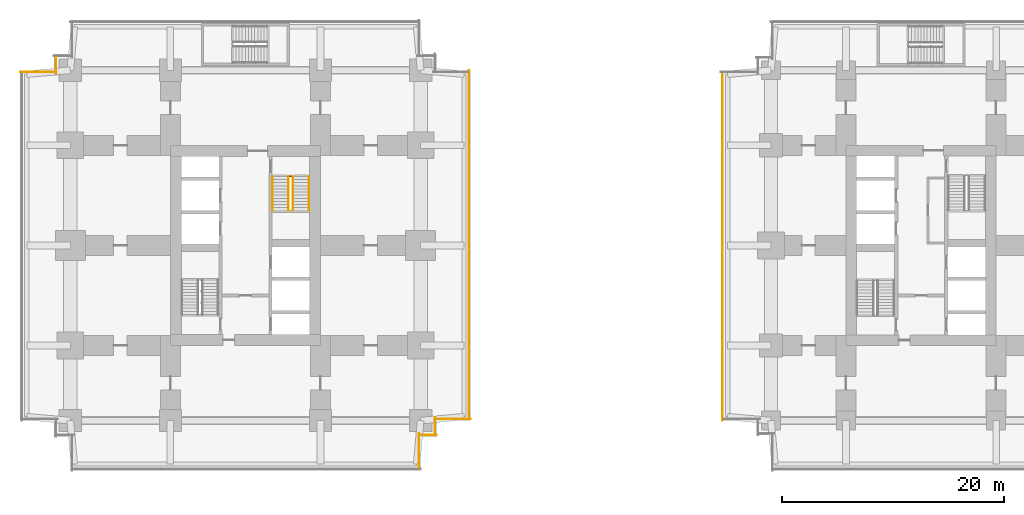
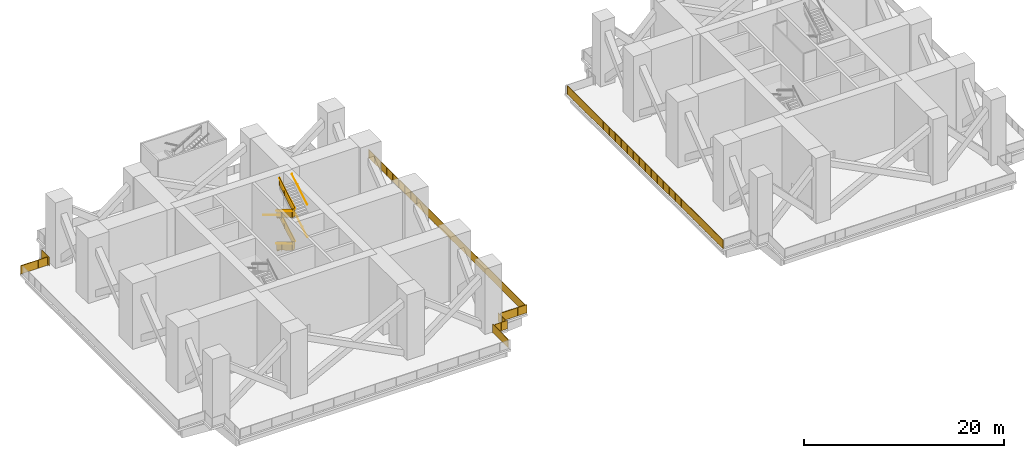
# One storey, part 8 of 12: 16 railings.
"""IFC4 building model written with IfcOpenShell, lengths in metres."""

import ifcopenshell
import ifcopenshell.guid

model = None  # the IFC model being written
_history = None  # IfcOwnerHistory: only IFC2X3 demands one
_inside = {}  # id of a spatial element -> (the spatial element, [elements in it])
_under = {}  # id of a project, library or spatial element -> (it, [spatial elements below it])
_declared = {}  # id of a project -> (the project, [libraries it declares])
_typed = {}  # id of a type object -> (the type object, [elements of that type])
_made_of = {}  # id of a material, layer set ... -> (it, [elements and type objects made of it])


def new_model(schema):
    """Start an empty IFC model of exactly this schema.

    Asked for "IFC4X3", IfcOpenShell would pick the latest addendum, in which some entities
    have other attributes; the version numbers below select the first issue.
    IFC2X3 requires an IfcOwnerHistory on every rooted entity: one is made here for all.
    """
    global model, _history
    if schema == "IFC4X3":
        model = ifcopenshell.file(schema_version=(4, 3, 0, 0))
    else:
        model = ifcopenshell.file(schema=schema)
    _inside.clear()
    _under.clear()
    _declared.clear()
    _typed.clear()
    _made_of.clear()
    _history = None
    if model.schema == "IFC2X3":
        org = make("IfcOrganization", Name="unknown")
        user = make(
            "IfcPersonAndOrganization",
            ThePerson=make("IfcPerson", FamilyName="unknown"),
            TheOrganization=org,
        )
        app = make(
            "IfcApplication",
            ApplicationDeveloper=org,
            Version="unknown",
            ApplicationFullName="unknown",
            ApplicationIdentifier="unknown",
        )
        _history = make(
            "IfcOwnerHistory",
            OwningUser=user,
            OwningApplication=app,
            ChangeAction="ADDED",
            CreationDate=0,
        )
    return model


def make(cls, **values):
    """One entity of the class cls with the attributes given. An attribute that is None is left unset."""
    return model.create_entity(
        cls, **{name: value for name, value in values.items() if value is not None}
    )


def rooted(cls, **values):
    """An entity with a GlobalId (a new one), such as an element, a storey or a relation."""
    return make(cls, GlobalId=ifcopenshell.guid.new(), OwnerHistory=_history, **values)


def si_unit(unit_type, name, prefix=None):
    """IfcSIUnit, for example si_unit("LENGTHUNIT", "METRE", prefix="MILLI")."""
    return make("IfcSIUnit", UnitType=unit_type, Prefix=prefix, Name=name)


def assignment(units):
    """IfcUnitAssignment: the units of a project."""
    return None if units is None else make("IfcUnitAssignment", Units=units)


def point(xyz):
    """IfcCartesianPoint."""
    return None if xyz is None else make("IfcCartesianPoint", Coordinates=xyz)


def direction(xyz):
    """IfcDirection."""
    return None if xyz is None else make("IfcDirection", DirectionRatios=xyz)


def frame(location, z_axis=None, x_axis=None):
    """IfcAxis2Placement3D, a coordinate frame: its origin and axes. An axis left out is left unset."""
    return make(
        "IfcAxis2Placement3D",
        Location=point(location),
        Axis=direction(z_axis),
        RefDirection=direction(x_axis),
    )


def frame_2d(location, x_axis=None):
    """IfcAxis2Placement2D, a coordinate frame in the plane: its origin and x axis."""
    return make(
        "IfcAxis2Placement2D", Location=point(location), RefDirection=direction(x_axis)
    )


def origin():
    """The frame at (0, 0, 0) with its axes left unset."""
    return frame((0.0, 0.0, 0.0))


def origin_2d():
    """The frame at (0, 0) in the plane with its x axis left unset."""
    return frame_2d((0.0, 0.0))


def place(relative_to, where):
    """IfcLocalPlacement: puts the frame where relative to a parent placement (None: the world)."""
    return make(
        "IfcLocalPlacement", PlacementRelTo=relative_to, RelativePlacement=where
    )


def context(
    kind, dimensions, precision=None, world=None, true_north=None, identifier=None
):
    """IfcGeometricRepresentationContext, for example the 3D "Model" context."""
    return make(
        "IfcGeometricRepresentationContext",
        ContextIdentifier=identifier,
        ContextType=kind,
        CoordinateSpaceDimension=dimensions,
        Precision=precision,
        WorldCoordinateSystem=world,
        TrueNorth=true_north,
    )


def subcontext(parent, identifier, kind, view, scale=None):
    """IfcGeometricRepresentationSubContext, for example "Body" below "Model"."""
    return make(
        "IfcGeometricRepresentationSubContext",
        ContextIdentifier=identifier,
        ContextType=kind,
        ParentContext=parent,
        TargetScale=scale,
        TargetView=view,
    )


def project(units=None, contexts=None):
    """IfcProject with its units and contexts."""
    return rooted(
        "IfcProject",
        Name="project",
        RepresentationContexts=contexts,
        UnitsInContext=assignment(units),
    )


def spatial(cls, under=None, at=None, **own):
    """A site, building, storey or space (cls), placed at a placement, below another one or the project."""
    s = rooted(cls, ObjectPlacement=at, **own)
    if under is not None:
        _under.setdefault(under.id(), (under, []))[1].append(s)
    return s


def polyline(points):
    """IfcPolyline through the points."""
    return make("IfcPolyline", Points=[point(p) for p in points])


def profile(cls, at=None, kind="AREA", **sizes):
    """A parametric profile (cls). Its sizes go by their IFC names, for example OverallWidth=200.0."""
    return make(cls, ProfileType=kind, Position=at, **sizes)


def circle(**sizes):
    """IfcCircleProfileDef."""
    return profile("IfcCircleProfileDef", **sizes)


def outline(outer, holes=None, kind="AREA"):
    """IfcArbitraryClosedProfileDef: a profile drawn as a closed curve; with holes, ...WithVoids."""
    if holes is None:
        return make("IfcArbitraryClosedProfileDef", ProfileType=kind, OuterCurve=outer)
    return make(
        "IfcArbitraryProfileDefWithVoids",
        ProfileType=kind,
        OuterCurve=outer,
        InnerCurves=holes,
    )


def extrude(swept, where, along, depth):
    """IfcExtrudedAreaSolid: the profile swept, set in the frame where, extruded along a direction by depth."""
    return make(
        "IfcExtrudedAreaSolid",
        SweptArea=swept,
        Position=where,
        ExtrudedDirection=direction(along),
        Depth=depth,
    )


def shape(context_of_items, identifier, shape_type, items):
    """IfcShapeRepresentation: the items that make up one representation, for example the "Body"."""
    return make(
        "IfcShapeRepresentation",
        ContextOfItems=context_of_items,
        RepresentationIdentifier=identifier,
        RepresentationType=shape_type,
        Items=items,
    )


def material(Name=None, Category=None):
    """IfcMaterial."""
    return make("IfcMaterial", Name=Name, Category=Category)


def made_of(thing, what):
    """Note that an element or type object is made of a material, layer set ...; save() writes the relation."""
    if what is not None:
        _made_of.setdefault(what.id(), (what, []))[1].append(thing)
    return thing


def type_object(cls, material=None, **own):
    """A type object (cls), such as IfcWallType, which elements share."""
    return made_of(rooted(cls, **own), material)


def element(
    cls,
    number,
    at=None,
    inside=None,
    cuts=None,
    type_object=None,
    material=None,
    context=None,
    identifier="Body",
    shape_type=None,
    held_by="IfcProductDefinitionShape",
    body=None,
    shapes=None,
    **own,
):
    """One element of the class cls, such as IfcWall. Its Tag is "e" and its number.

    at: its placement. inside: the storey or other place that contains it. cuts: it is an
    opening in that element (IfcRelVoidsElement). A single representation is given by context,
    identifier, shape_type and body (its items); several are given by shapes. held_by: the class
    of the entity that holds the representations. save() writes the other relations.
    """
    e = rooted(cls, Tag="e%d" % number, ObjectPlacement=at, **own)
    if body is not None:
        shapes = [shape(context, identifier, shape_type, body)]
    if shapes is not None:
        e.Representation = make(held_by, Representations=shapes)
    if inside is not None:
        _inside.setdefault(inside.id(), (inside, []))[1].append(e)
    if cuts is not None:
        rooted(
            "IfcRelVoidsElement", RelatingBuildingElement=cuts, RelatedOpeningElement=e
        )
    if type_object is not None:
        _typed.setdefault(type_object.id(), (type_object, []))[1].append(e)
    return made_of(e, material)


def aggregate(whole, parts):
    """IfcRelAggregates: a whole, such as a stair, and the parts it consists of."""
    return rooted("IfcRelAggregates", RelatingObject=whole, RelatedObjects=parts)


def save(model, path):
    """Write the relations noted so far, then the file.

    IfcRelAggregates (storeys below a building ...), IfcRelContainedInSpatialStructure (elements
    in a storey), IfcRelDefinesByType, IfcRelAssociatesMaterial and IfcRelDeclares: one each for
    every whole, place, type object, material and project.
    """
    for whole, parts in _under.values():
        aggregate(whole, parts)
    for where, things in _inside.values():
        rooted(
            "IfcRelContainedInSpatialStructure",
            RelatedElements=things,
            RelatingStructure=where,
        )
    for kind, things in _typed.values():
        rooted("IfcRelDefinesByType", RelatedObjects=things, RelatingType=kind)
    for what, things in _made_of.values():
        rooted("IfcRelAssociatesMaterial", RelatedObjects=things, RelatingMaterial=what)
    for by, libraries in _declared.values():
        rooted("IfcRelDeclares", RelatingContext=by, RelatedDefinitions=libraries)
    model.write(path)


model = new_model("IFC4")

# Units and contexts
model_context = context("Model", 3, precision=1e-05, world=origin(), true_north=direction((0.0, 1.0)))
body_context = subcontext(model_context, "Body", "Model", "MODEL_VIEW")
ifc_project = project(units=[si_unit("LENGTHUNIT", "METRE"), si_unit("AREAUNIT", "SQUARE_METRE"), si_unit("VOLUMEUNIT", "CUBIC_METRE"), si_unit("PLANEANGLEUNIT", "RADIAN"), si_unit("MASSUNIT", "GRAM", prefix="KILO")], contexts=[model_context])

# Site, building, storey
site_placement = place(None, origin())
site = spatial("IfcSite", under=ifc_project, at=site_placement, CompositionType="ELEMENT")
building_placement = place(site_placement, origin())
building = spatial("IfcBuilding", under=site, at=building_placement, Name="Namib Vertical Campus", CompositionType="ELEMENT")
storey_placement = place(building_placement, frame((0.0, 0.0, 77.0)))
storey = spatial("IfcBuildingStorey", under=building, at=storey_placement, Name="L18", CompositionType="ELEMENT", Elevation=77.0)

# Railings
ifc_material_1 = material(Name="Toughened glass balustrade", Category="glass")
railing_type_1 = type_object("IfcRailingType", Name="Edge guard 1100", PredefinedType="GUARDRAIL", material=ifc_material_1)
railing_1_placement = place(storey_placement, frame((35.85009765625, 0.300048828125, 0.0)))
element("IfcRailing", 1, at=railing_1_placement, inside=storey, type_object=railing_type_1, Name="Refuge edge guard GR2 A L18 2", PredefinedType="GUARDRAIL", context=body_context, shape_type="SweptSolid", body=[
    extrude(circle(Radius=0.02392578125, at=origin_2d()), frame((0.0, 0.0, 1.076171875), z_axis=(0.0, 1.0, 0.0), x_axis=(-1.0, 0.0, 0.0)), (0.0, 0.0, 1.0), 3.050048828125),
    extrude(outline(polyline([(0.02099609375, 0.050048828125), (3.029052734375, 0.050048828125), (3.029052734375, 1.052001953125), (0.02099609375, 1.052001953125), (0.02099609375, 0.050048828125)])), frame((-0.0107421875, 0.0, 0.0), z_axis=(1.0, 0.0, 0.0), x_axis=(0.0, 1.0, 0.0)), (0.0, 0.0, 1.0), 0.021484375),
    extrude(circle(Radius=0.02099609375, at=origin_2d()), origin(), (0.0, 0.0, 1.0), 1.052001953125),
    extrude(circle(Radius=0.02099609375, at=origin_2d()), frame((0.0, 1.0166015625, 0.0)), (0.0, 0.0, 1.0), 1.052001953125),
    extrude(circle(Radius=0.02099609375, at=origin_2d()), frame((0.0, 2.033447265625, 0.0)), (0.0, 0.0, 1.0), 1.052001953125),
    extrude(circle(Radius=0.02099609375, at=origin_2d()), frame((0.0, 3.050048828125, 0.0)), (0.0, 0.0, 1.0), 1.052001953125),
])
railing_2_placement = place(storey_placement, frame((36.0, 3.199951171875, 0.0)))
element("IfcRailing", 2, at=railing_2_placement, inside=storey, type_object=railing_type_1, Name="Refuge edge guard GR2 A L18 3", PredefinedType="GUARDRAIL", context=body_context, shape_type="SweptSolid", body=[
    extrude(circle(Radius=0.02392578125, at=origin_2d()), frame((0.0, 0.0, 1.076171875), z_axis=(1.0, 0.0, 0.0), x_axis=(0.0, 1.0, 0.0)), (0.0, 0.0, 1.0), 1.449951171875),
    extrude(outline(polyline([(0.02099609375, 0.050048828125), (1.428955078125, 0.050048828125), (1.428955078125, 1.052001953125), (0.02099609375, 1.052001953125), (0.02099609375, 0.050048828125)])), frame((0.0, 0.0107421875, 0.0), z_axis=(0.0, -1.0, 0.0), x_axis=(1.0, 0.0, 0.0)), (0.0, 0.0, 1.0), 0.021484375),
    extrude(circle(Radius=0.02099609375, at=origin_2d()), origin(), (0.0, 0.0, 1.0), 1.052001953125),
    extrude(circle(Radius=0.02099609375, at=origin_2d()), frame((0.72509765625, 0.0, 0.0)), (0.0, 0.0, 1.0), 1.052001953125),
    extrude(circle(Radius=0.02099609375, at=origin_2d()), frame((1.449951171875, 0.0, 0.0)), (0.0, 0.0, 1.0), 1.052001953125),
])
railing_3_placement = place(storey_placement, frame((37.300048828125, 3.35009765625, 0.0)))
element("IfcRailing", 3, at=railing_3_placement, inside=storey, type_object=railing_type_1, Name="Refuge edge guard GR2 A L18 4", PredefinedType="GUARDRAIL", context=body_context, shape_type="SweptSolid", body=[
    extrude(circle(Radius=0.02392578125, at=origin_2d()), frame((0.0, 0.0, 1.076171875), z_axis=(0.0, 1.0, 0.0), x_axis=(-1.0, 0.0, 0.0)), (0.0, 0.0, 1.0), 1.449951171875),
    extrude(outline(polyline([(0.02099609375, 0.050048828125), (1.428955078125, 0.050048828125), (1.428955078125, 1.052001953125), (0.02099609375, 1.052001953125), (0.02099609375, 0.050048828125)])), frame((-0.0107421875, 0.0, 0.0), z_axis=(1.0, 0.0, 0.0), x_axis=(0.0, 1.0, 0.0)), (0.0, 0.0, 1.0), 0.021484375),
    extrude(circle(Radius=0.02099609375, at=origin_2d()), origin(), (0.0, 0.0, 1.0), 1.052001953125),
    extrude(circle(Radius=0.02099609375, at=origin_2d()), frame((0.0, 0.72509765625, 0.0)), (0.0, 0.0, 1.0), 1.052001953125),
    extrude(circle(Radius=0.02099609375, at=origin_2d()), frame((0.0, 1.449951171875, 0.0)), (0.0, 0.0, 1.0), 1.052001953125),
])
railing_4_placement = place(storey_placement, frame((37.449951171875, 4.64990234375, 0.0)))
element("IfcRailing", 4, at=railing_4_placement, inside=storey, type_object=railing_type_1, Name="Refuge edge guard GR2 A L18 5", PredefinedType="GUARDRAIL", context=body_context, shape_type="SweptSolid", body=[
    extrude(circle(Radius=0.02392578125, at=origin_2d()), frame((0.0, 0.0, 1.076171875), z_axis=(1.0, 0.0, 0.0), x_axis=(0.0, 1.0, 0.0)), (0.0, 0.0, 1.0), 3.050048828125),
    extrude(outline(polyline([(0.02099609375, 0.050048828125), (3.029052734375, 0.050048828125), (3.029052734375, 1.052001953125), (0.02099609375, 1.052001953125), (0.02099609375, 0.050048828125)])), frame((0.0, 0.0107421875, 0.0), z_axis=(0.0, -1.0, 0.0), x_axis=(1.0, 0.0, 0.0)), (0.0, 0.0, 1.0), 0.021484375),
    extrude(circle(Radius=0.02099609375, at=origin_2d()), origin(), (0.0, 0.0, 1.0), 1.052001953125),
    extrude(circle(Radius=0.02099609375, at=origin_2d()), frame((1.0166015625, 0.0, 0.0)), (0.0, 0.0, 1.0), 1.052001953125),
    extrude(circle(Radius=0.02099609375, at=origin_2d()), frame((2.033447265625, 0.0, 0.0)), (0.0, 0.0, 1.0), 1.052001953125),
    extrude(circle(Radius=0.02099609375, at=origin_2d()), frame((3.050048828125, 0.0, 0.0)), (0.0, 0.0, 1.0), 1.052001953125),
])
railing_5_placement = place(storey_placement, frame((40.35009765625, 4.800048828125, 0.0)))
element("IfcRailing", 5, at=railing_5_placement, inside=storey, type_object=railing_type_1, Name="Refuge edge guard GR2 A L18 6", PredefinedType="GUARDRAIL", context=body_context, shape_type="SweptSolid", body=[
    extrude(circle(Radius=0.02392578125, at=origin_2d()), frame((0.0, 0.0, 1.076171875), z_axis=(0.0, 1.0, 0.0), x_axis=(-1.0, 0.0, 0.0)), (0.0, 0.0, 1.0), 31.199951171875),
    extrude(outline(polyline([(0.02099609375, 0.050048828125), (31.178955078125, 0.050048828125), (31.178955078125, 1.052001953125), (0.02099609375, 1.052001953125), (0.02099609375, 0.050048828125)])), frame((-0.0107421875, 0.0, 0.0), z_axis=(1.0, 0.0, 0.0), x_axis=(0.0, 1.0, 0.0)), (0.0, 0.0, 1.0), 0.021484375),
    extrude(circle(Radius=0.02099609375, at=origin_2d()), origin(), (0.0, 0.0, 1.0), 1.052001953125),
    extrude(circle(Radius=0.02099609375, at=origin_2d()), frame((0.0, 1.199951171875, 0.0)), (0.0, 0.0, 1.0), 1.052001953125),
    extrude(circle(Radius=0.02099609375, at=origin_2d()), frame((0.0, 2.39990234375, 0.0)), (0.0, 0.0, 1.0), 1.052001953125),
    extrude(circle(Radius=0.02099609375, at=origin_2d()), frame((0.0, 3.60009765625, 0.0)), (0.0, 0.0, 1.0), 1.052001953125),
    extrude(circle(Radius=0.02099609375, at=origin_2d()), frame((0.0, 4.800048828125, 0.0)), (0.0, 0.0, 1.0), 1.052001953125),
    extrude(circle(Radius=0.02099609375, at=origin_2d()), frame((0.0, 6.0, 0.0)), (0.0, 0.0, 1.0), 1.052001953125),
    extrude(circle(Radius=0.02099609375, at=origin_2d()), frame((0.0, 7.199951171875, 0.0)), (0.0, 0.0, 1.0), 1.052001953125),
    extrude(circle(Radius=0.02099609375, at=origin_2d()), frame((0.0, 8.39990234375, 0.0)), (0.0, 0.0, 1.0), 1.052001953125),
    extrude(circle(Radius=0.02099609375, at=origin_2d()), frame((0.0, 9.60009765625, 0.0)), (0.0, 0.0, 1.0), 1.052001953125),
    extrude(circle(Radius=0.02099609375, at=origin_2d()), frame((0.0, 10.800048828125, 0.0)), (0.0, 0.0, 1.0), 1.052001953125),
    extrude(circle(Radius=0.02099609375, at=origin_2d()), frame((0.0, 12.0, 0.0)), (0.0, 0.0, 1.0), 1.052001953125),
    extrude(circle(Radius=0.02099609375, at=origin_2d()), frame((0.0, 13.199951171875, 0.0)), (0.0, 0.0, 1.0), 1.052001953125),
    extrude(circle(Radius=0.02099609375, at=origin_2d()), frame((0.0, 14.39990234375, 0.0)), (0.0, 0.0, 1.0), 1.052001953125),
    extrude(circle(Radius=0.02099609375, at=origin_2d()), frame((0.0, 15.60009765625, 0.0)), (0.0, 0.0, 1.0), 1.052001953125),
    extrude(circle(Radius=0.02099609375, at=origin_2d()), frame((0.0, 16.800048828125, 0.0)), (0.0, 0.0, 1.0), 1.052001953125),
    extrude(circle(Radius=0.02099609375, at=origin_2d()), frame((0.0, 18.0, 0.0)), (0.0, 0.0, 1.0), 1.052001953125),
    extrude(circle(Radius=0.02099609375, at=origin_2d()), frame((0.0, 19.199951171875, 0.0)), (0.0, 0.0, 1.0), 1.052001953125),
    extrude(circle(Radius=0.02099609375, at=origin_2d()), frame((0.0, 20.39990234375, 0.0)), (0.0, 0.0, 1.0), 1.052001953125),
    extrude(circle(Radius=0.02099609375, at=origin_2d()), frame((0.0, 21.599853515625, 0.0)), (0.0, 0.0, 1.0), 1.052001953125),
    extrude(circle(Radius=0.02099609375, at=origin_2d()), frame((0.0, 22.800048828125, 0.0)), (0.0, 0.0, 1.0), 1.052001953125),
    extrude(circle(Radius=0.02099609375, at=origin_2d()), frame((0.0, 24.0, 0.0)), (0.0, 0.0, 1.0), 1.052001953125),
    extrude(circle(Radius=0.02099609375, at=origin_2d()), frame((0.0, 25.199951171875, 0.0)), (0.0, 0.0, 1.0), 1.052001953125),
    extrude(circle(Radius=0.02099609375, at=origin_2d()), frame((0.0, 26.39990234375, 0.0)), (0.0, 0.0, 1.0), 1.052001953125),
    extrude(circle(Radius=0.02099609375, at=origin_2d()), frame((0.0, 27.599853515625, 0.0)), (0.0, 0.0, 1.0), 1.052001953125),
    extrude(circle(Radius=0.02099609375, at=origin_2d()), frame((0.0, 28.800048828125, 0.0)), (0.0, 0.0, 1.0), 1.052001953125),
    extrude(circle(Radius=0.02099609375, at=origin_2d()), frame((0.0, 30.0, 0.0)), (0.0, 0.0, 1.0), 1.052001953125),
    extrude(circle(Radius=0.02099609375, at=origin_2d()), frame((0.0, 31.199951171875, 0.0)), (0.0, 0.0, 1.0), 1.052001953125),
])
railing_6_placement = place(storey_placement, frame((3.199951171875, 37.14990234375, 0.0)))
element("IfcRailing", 6, at=railing_6_placement, inside=storey, type_object=railing_type_1, Name="Refuge edge guard GR2 A L18 14", PredefinedType="GUARDRAIL", context=body_context, shape_type="SweptSolid", body=[
    extrude(circle(Radius=0.02392578125, at=origin_2d()), frame((0.0, 0.0, 1.076171875), z_axis=(0.0, -1.0, 0.0), x_axis=(1.0, 0.0, 0.0)), (0.0, 0.0, 1.0), 1.449951171875),
    extrude(outline(polyline([(0.02099609375, 0.050048828125), (1.428955078125, 0.050048828125), (1.428955078125, 1.052001953125), (0.02099609375, 1.052001953125), (0.02099609375, 0.050048828125)])), frame((0.0107421875, 0.0, 0.0), z_axis=(-1.0, 0.0, 0.0), x_axis=(0.0, -1.0, 0.0)), (0.0, 0.0, 1.0), 0.021484375),
    extrude(circle(Radius=0.02099609375, at=origin_2d()), origin(), (0.0, 0.0, 1.0), 1.052001953125),
    extrude(circle(Radius=0.02099609375, at=origin_2d()), frame((0.0, -0.72509765625, 0.0)), (0.0, 0.0, 1.0), 1.052001953125),
    extrude(circle(Radius=0.02099609375, at=origin_2d()), frame((0.0, -1.449951171875, 0.0)), (0.0, 0.0, 1.0), 1.052001953125),
])
railing_7_placement = place(storey_placement, frame((3.050048828125, 35.85009765625, 0.0)))
element("IfcRailing", 7, at=railing_7_placement, inside=storey, type_object=railing_type_1, Name="Refuge edge guard GR2 A L18 15", PredefinedType="GUARDRAIL", context=body_context, shape_type="SweptSolid", body=[
    extrude(circle(Radius=0.02392578125, at=origin_2d()), frame((0.0, 0.0, 1.076171875), z_axis=(-1.0, 0.0, 0.0), x_axis=(0.0, -1.0, 0.0)), (0.0, 0.0, 1.0), 3.050048828125),
    extrude(outline(polyline([(0.02099609375, 0.050048828125), (3.029052734375, 0.050048828125), (3.029052734375, 1.052001953125), (0.02099609375, 1.052001953125), (0.02099609375, 0.050048828125)])), frame((0.0, -0.0107421875, 0.0), z_axis=(0.0, 1.0, 0.0), x_axis=(-1.0, 0.0, 0.0)), (0.0, 0.0, 1.0), 0.021484375),
    extrude(circle(Radius=0.02099609375, at=origin_2d()), origin(), (0.0, 0.0, 1.0), 1.052001953125),
    extrude(circle(Radius=0.02099609375, at=origin_2d()), frame((-1.0166015625, 0.0, 0.0)), (0.0, 0.0, 1.0), 1.052001953125),
    extrude(circle(Radius=0.02099609375, at=origin_2d()), frame((-2.033447265625, 0.0, 0.0)), (0.0, 0.0, 1.0), 1.052001953125),
    extrude(circle(Radius=0.02099609375, at=origin_2d()), frame((-3.050048828125, 0.0, 0.0)), (0.0, 0.0, 1.0), 1.052001953125),
])
railing_8_placement = place(storey_placement, frame((63.14990234375, 35.699951171875, 0.0)))
element("IfcRailing", 8, at=railing_8_placement, inside=storey, type_object=railing_type_1, Name="Refuge edge guard GR2 B L18 16", PredefinedType="GUARDRAIL", context=body_context, shape_type="SweptSolid", body=[
    extrude(circle(Radius=0.02392578125, at=origin_2d()), frame((0.0, 0.0, 1.076171875), z_axis=(0.0, -1.0, 0.0), x_axis=(1.0, 0.0, 0.0)), (0.0, 0.0, 1.0), 31.199951171875),
    extrude(outline(polyline([(0.02099609375, 0.050048828125), (31.178955078125, 0.050048828125), (31.178955078125, 1.052001953125), (0.02099609375, 1.052001953125), (0.02099609375, 0.050048828125)])), frame((0.0107421875, 0.0, 0.0), z_axis=(-1.0, 0.0, 0.0), x_axis=(0.0, -1.0, 0.0)), (0.0, 0.0, 1.0), 0.021484375),
    extrude(circle(Radius=0.02099609375, at=origin_2d()), origin(), (0.0, 0.0, 1.0), 1.052001953125),
    extrude(circle(Radius=0.02099609375, at=origin_2d()), frame((0.0, -1.199951171875, 0.0)), (0.0, 0.0, 1.0), 1.052001953125),
    extrude(circle(Radius=0.02099609375, at=origin_2d()), frame((0.0, -2.39990234375, 0.0)), (0.0, 0.0, 1.0), 1.052001953125),
    extrude(circle(Radius=0.02099609375, at=origin_2d()), frame((0.0, -3.60009765625, 0.0)), (0.0, 0.0, 1.0), 1.052001953125),
    extrude(circle(Radius=0.02099609375, at=origin_2d()), frame((0.0, -4.800048828125, 0.0)), (0.0, 0.0, 1.0), 1.052001953125),
    extrude(circle(Radius=0.02099609375, at=origin_2d()), frame((0.0, -6.0, 0.0)), (0.0, 0.0, 1.0), 1.052001953125),
    extrude(circle(Radius=0.02099609375, at=origin_2d()), frame((0.0, -7.199951171875, 0.0)), (0.0, 0.0, 1.0), 1.052001953125),
    extrude(circle(Radius=0.02099609375, at=origin_2d()), frame((0.0, -8.39990234375, 0.0)), (0.0, 0.0, 1.0), 1.052001953125),
    extrude(circle(Radius=0.02099609375, at=origin_2d()), frame((0.0, -9.60009765625, 0.0)), (0.0, 0.0, 1.0), 1.052001953125),
    extrude(circle(Radius=0.02099609375, at=origin_2d()), frame((0.0, -10.800048828125, 0.0)), (0.0, 0.0, 1.0), 1.052001953125),
    extrude(circle(Radius=0.02099609375, at=origin_2d()), frame((0.0, -12.0, 0.0)), (0.0, 0.0, 1.0), 1.052001953125),
    extrude(circle(Radius=0.02099609375, at=origin_2d()), frame((0.0, -13.199951171875, 0.0)), (0.0, 0.0, 1.0), 1.052001953125),
    extrude(circle(Radius=0.02099609375, at=origin_2d()), frame((0.0, -14.39990234375, 0.0)), (0.0, 0.0, 1.0), 1.052001953125),
    extrude(circle(Radius=0.02099609375, at=origin_2d()), frame((0.0, -15.60009765625, 0.0)), (0.0, 0.0, 1.0), 1.052001953125),
    extrude(circle(Radius=0.02099609375, at=origin_2d()), frame((0.0, -16.800048828125, 0.0)), (0.0, 0.0, 1.0), 1.052001953125),
    extrude(circle(Radius=0.02099609375, at=origin_2d()), frame((0.0, -18.0, 0.0)), (0.0, 0.0, 1.0), 1.052001953125),
    extrude(circle(Radius=0.02099609375, at=origin_2d()), frame((0.0, -19.199951171875, 0.0)), (0.0, 0.0, 1.0), 1.052001953125),
    extrude(circle(Radius=0.02099609375, at=origin_2d()), frame((0.0, -20.39990234375, 0.0)), (0.0, 0.0, 1.0), 1.052001953125),
    extrude(circle(Radius=0.02099609375, at=origin_2d()), frame((0.0, -21.599853515625, 0.0)), (0.0, 0.0, 1.0), 1.052001953125),
    extrude(circle(Radius=0.02099609375, at=origin_2d()), frame((0.0, -22.800048828125, 0.0)), (0.0, 0.0, 1.0), 1.052001953125),
    extrude(circle(Radius=0.02099609375, at=origin_2d()), frame((0.0, -24.0, 0.0)), (0.0, 0.0, 1.0), 1.052001953125),
    extrude(circle(Radius=0.02099609375, at=origin_2d()), frame((0.0, -25.199951171875, 0.0)), (0.0, 0.0, 1.0), 1.052001953125),
    extrude(circle(Radius=0.02099609375, at=origin_2d()), frame((0.0, -26.39990234375, 0.0)), (0.0, 0.0, 1.0), 1.052001953125),
    extrude(circle(Radius=0.02099609375, at=origin_2d()), frame((0.0, -27.599853515625, 0.0)), (0.0, 0.0, 1.0), 1.052001953125),
    extrude(circle(Radius=0.02099609375, at=origin_2d()), frame((0.0, -28.800048828125, 0.0)), (0.0, 0.0, 1.0), 1.052001953125),
    extrude(circle(Radius=0.02099609375, at=origin_2d()), frame((0.0, -30.0, 0.0)), (0.0, 0.0, 1.0), 1.052001953125),
    extrude(circle(Radius=0.02099609375, at=origin_2d()), frame((0.0, -31.199951171875, 0.0)), (0.0, 0.0, 1.0), 1.052001953125),
])
ifc_material_2 = material(Name="Steel handrail", Category="steel")
railing_type_2 = type_object("IfcRailingType", Name="Handrail 900", PredefinedType="HANDRAIL", material=ifc_material_2)
railing_9_placement = place(storey_placement, frame((25.949951171875, 23.3701171875, 2.166748046875)))
element("IfcRailing", 9, at=railing_9_placement, inside=storey, type_object=railing_type_2, Name="Handrail HR1 A-S2 L18 2", PredefinedType="HANDRAIL", context=body_context, shape_type="SweptSolid", body=[
    extrude(circle(Radius=0.02392578125, at=origin_2d()), frame((0.0, 0.0, 0.8759765625), z_axis=(0.0, 0.859290745958, 0.51148745235), x_axis=(-1.0, 0.0, 0.0)), (0.0, 0.0, 1.0), 3.584228515625),
    extrude(circle(Radius=0.008056640625, at=origin_2d()), frame((0.0, 0.0, 0.8759765625), z_axis=(1.0, 0.0, 0.0), x_axis=(0.0, 0.0, 1.0)), (0.0, 0.0, 1.0), 0.050048828125),
    extrude(circle(Radius=0.008056640625, at=origin_2d()), frame((0.0, 1.026611328125, 1.48681640625), z_axis=(1.0, 0.0, 0.0), x_axis=(0.0, 0.0, 1.0)), (0.0, 0.0, 1.0), 0.050048828125),
    extrude(circle(Radius=0.008056640625, at=origin_2d()), frame((0.0, 2.05322265625, 2.09814453125), z_axis=(1.0, 0.0, 0.0), x_axis=(0.0, 0.0, 1.0)), (0.0, 0.0, 1.0), 0.050048828125),
    extrude(circle(Radius=0.008056640625, at=origin_2d()), frame((0.0, 3.079833984375, 2.708984375), z_axis=(1.0, 0.0, 0.0), x_axis=(0.0, 0.0, 1.0)), (0.0, 0.0, 1.0), 0.050048828125),
])
railing_10_placement = place(storey_placement, frame((22.699951171875, 26.449951171875, 4.166748046875)))
element("IfcRailing", 10, at=railing_10_placement, inside=storey, type_object=railing_type_2, Name="Handrail HR1 A-S2 L18 3", PredefinedType="HANDRAIL", context=body_context, shape_type="SweptSolid", body=[
    extrude(circle(Radius=0.02392578125, at=origin_2d()), frame((0.0, 0.0, 0.8759765625), z_axis=(0.0, -0.859290745958, 0.51148745235), x_axis=(1.0, 0.0, 0.0)), (0.0, 0.0, 1.0), 3.584228515625),
    extrude(circle(Radius=0.008056640625, at=origin_2d()), frame((0.0, 0.0, 0.8759765625), z_axis=(-1.0, 0.0, 0.0), x_axis=(0.0, 0.0, 1.0)), (0.0, 0.0, 1.0), 0.050048828125),
    extrude(circle(Radius=0.008056640625, at=origin_2d()), frame((0.0, -1.026611328125, 1.48681640625), z_axis=(-1.0, 0.0, 0.0), x_axis=(0.0, 0.0, 1.0)), (0.0, 0.0, 1.0), 0.050048828125),
    extrude(circle(Radius=0.008056640625, at=origin_2d()), frame((0.0, -2.05322265625, 2.09814453125), z_axis=(-1.0, 0.0, 0.0), x_axis=(0.0, 0.0, 1.0)), (0.0, 0.0, 1.0), 0.050048828125),
    extrude(circle(Radius=0.008056640625, at=origin_2d()), frame((0.0, -3.079833984375, 2.708984375), z_axis=(-1.0, 0.0, 0.0), x_axis=(0.0, 0.0, 1.0)), (0.0, 0.0, 1.0), 0.050048828125),
])
railing_11_placement = place(storey_placement, frame((25.949951171875, 23.3701171875, 6.166748046875)))
element("IfcRailing", 11, at=railing_11_placement, inside=storey, type_object=railing_type_2, Name="Handrail HR1 A-S2 L18 4", PredefinedType="HANDRAIL", context=body_context, shape_type="SweptSolid", body=[
    extrude(circle(Radius=0.02392578125, at=origin_2d()), frame((0.0, 0.0, 0.8759765625), z_axis=(0.0, 0.859290745958, 0.51148745235), x_axis=(-1.0, 0.0, 0.0)), (0.0, 0.0, 1.0), 3.584228515625),
    extrude(circle(Radius=0.008056640625, at=origin_2d()), frame((0.0, 0.0, 0.8759765625), z_axis=(1.0, 0.0, 0.0), x_axis=(0.0, 0.0, 1.0)), (0.0, 0.0, 1.0), 0.050048828125),
    extrude(circle(Radius=0.008056640625, at=origin_2d()), frame((0.0, 1.026611328125, 1.48681640625), z_axis=(1.0, 0.0, 0.0), x_axis=(0.0, 0.0, 1.0)), (0.0, 0.0, 1.0), 0.050048828125),
    extrude(circle(Radius=0.008056640625, at=origin_2d()), frame((0.0, 2.05322265625, 2.09814453125), z_axis=(1.0, 0.0, 0.0), x_axis=(0.0, 0.0, 1.0)), (0.0, 0.0, 1.0), 0.050048828125),
    extrude(circle(Radius=0.008056640625, at=origin_2d()), frame((0.0, 3.079833984375, 2.708984375), z_axis=(1.0, 0.0, 0.0), x_axis=(0.0, 0.0, 1.0)), (0.0, 0.0, 1.0), 0.050048828125),
])
railing_12_placement = place(storey_placement, frame((24.125, 26.449951171875, 0.166748046875)))
element("IfcRailing", 12, at=railing_12_placement, inside=storey, type_object=railing_type_2, Name="Handrail HR1 A-S2 L18 1 at the well", PredefinedType="HANDRAIL", context=body_context, shape_type="SweptSolid", body=[
    extrude(circle(Radius=0.02392578125, at=origin_2d()), frame((0.0, 0.0, 0.8759765625), z_axis=(0.0, -0.859290745958, 0.51148745235), x_axis=(1.0, 0.0, 0.0)), (0.0, 0.0, 1.0), 3.584228515625),
    extrude(circle(Radius=0.008056640625, at=origin_2d()), frame((0.0, 0.0, 0.8759765625), z_axis=(1.0, 0.0, 0.0), x_axis=(0.0, 0.0, 1.0)), (0.0, 0.0, 1.0), 0.0400390625),
    extrude(circle(Radius=0.008056640625, at=origin_2d()), frame((0.0, -1.026611328125, 1.48681640625), z_axis=(1.0, 0.0, 0.0), x_axis=(0.0, 0.0, 1.0)), (0.0, 0.0, 1.0), 0.0400390625),
    extrude(circle(Radius=0.008056640625, at=origin_2d()), frame((0.0, -2.05322265625, 2.09814453125), z_axis=(1.0, 0.0, 0.0), x_axis=(0.0, 0.0, 1.0)), (0.0, 0.0, 1.0), 0.0400390625),
    extrude(circle(Radius=0.008056640625, at=origin_2d()), frame((0.0, -3.079833984375, 2.708984375), z_axis=(1.0, 0.0, 0.0), x_axis=(0.0, 0.0, 1.0)), (0.0, 0.0, 1.0), 0.0400390625),
])
railing_13_placement = place(storey_placement, frame((24.52490234375, 23.3701171875, 2.166748046875)))
element("IfcRailing", 13, at=railing_13_placement, inside=storey, type_object=railing_type_2, Name="Handrail HR1 A-S2 L18 2 at the well", PredefinedType="HANDRAIL", context=body_context, shape_type="SweptSolid", body=[
    extrude(circle(Radius=0.02392578125, at=origin_2d()), frame((0.0, 0.0, 0.8759765625), z_axis=(0.0, 0.859290745958, 0.51148745235), x_axis=(-1.0, 0.0, 0.0)), (0.0, 0.0, 1.0), 3.584228515625),
    extrude(circle(Radius=0.008056640625, at=origin_2d()), frame((0.0, 0.0, 0.8759765625), z_axis=(-1.0, 0.0, 0.0), x_axis=(0.0, 0.0, 1.0)), (0.0, 0.0, 1.0), 0.0400390625),
    extrude(circle(Radius=0.008056640625, at=origin_2d()), frame((0.0, 1.026611328125, 1.48681640625), z_axis=(-1.0, 0.0, 0.0), x_axis=(0.0, 0.0, 1.0)), (0.0, 0.0, 1.0), 0.0400390625),
    extrude(circle(Radius=0.008056640625, at=origin_2d()), frame((0.0, 2.05322265625, 2.09814453125), z_axis=(-1.0, 0.0, 0.0), x_axis=(0.0, 0.0, 1.0)), (0.0, 0.0, 1.0), 0.0400390625),
    extrude(circle(Radius=0.008056640625, at=origin_2d()), frame((0.0, 3.079833984375, 2.708984375), z_axis=(-1.0, 0.0, 0.0), x_axis=(0.0, 0.0, 1.0)), (0.0, 0.0, 1.0), 0.0400390625),
])
railing_14_placement = place(storey_placement, frame((24.125, 26.449951171875, 4.166748046875)))
element("IfcRailing", 14, at=railing_14_placement, inside=storey, type_object=railing_type_2, Name="Handrail HR1 A-S2 L18 3 at the well", PredefinedType="HANDRAIL", context=body_context, shape_type="SweptSolid", body=[
    extrude(circle(Radius=0.02392578125, at=origin_2d()), frame((0.0, 0.0, 0.8759765625), z_axis=(0.0, -0.859290745958, 0.51148745235), x_axis=(1.0, 0.0, 0.0)), (0.0, 0.0, 1.0), 3.584228515625),
    extrude(circle(Radius=0.008056640625, at=origin_2d()), frame((0.0, 0.0, 0.8759765625), z_axis=(1.0, 0.0, 0.0), x_axis=(0.0, 0.0, 1.0)), (0.0, 0.0, 1.0), 0.0400390625),
    extrude(circle(Radius=0.008056640625, at=origin_2d()), frame((0.0, -1.026611328125, 1.48681640625), z_axis=(1.0, 0.0, 0.0), x_axis=(0.0, 0.0, 1.0)), (0.0, 0.0, 1.0), 0.0400390625),
    extrude(circle(Radius=0.008056640625, at=origin_2d()), frame((0.0, -2.05322265625, 2.09814453125), z_axis=(1.0, 0.0, 0.0), x_axis=(0.0, 0.0, 1.0)), (0.0, 0.0, 1.0), 0.0400390625),
    extrude(circle(Radius=0.008056640625, at=origin_2d()), frame((0.0, -3.079833984375, 2.708984375), z_axis=(1.0, 0.0, 0.0), x_axis=(0.0, 0.0, 1.0)), (0.0, 0.0, 1.0), 0.0400390625),
])
railing_15_placement = place(storey_placement, frame((24.52490234375, 23.3701171875, 6.166748046875)))
element("IfcRailing", 15, at=railing_15_placement, inside=storey, type_object=railing_type_2, Name="Handrail HR1 A-S2 L18 4 at the well", PredefinedType="HANDRAIL", context=body_context, shape_type="SweptSolid", body=[
    extrude(circle(Radius=0.02392578125, at=origin_2d()), frame((0.0, 0.0, 0.8759765625), z_axis=(0.0, 0.859290745958, 0.51148745235), x_axis=(-1.0, 0.0, 0.0)), (0.0, 0.0, 1.0), 3.584228515625),
    extrude(circle(Radius=0.008056640625, at=origin_2d()), frame((0.0, 0.0, 0.8759765625), z_axis=(-1.0, 0.0, 0.0), x_axis=(0.0, 0.0, 1.0)), (0.0, 0.0, 1.0), 0.0400390625),
    extrude(circle(Radius=0.008056640625, at=origin_2d()), frame((0.0, 1.026611328125, 1.48681640625), z_axis=(-1.0, 0.0, 0.0), x_axis=(0.0, 0.0, 1.0)), (0.0, 0.0, 1.0), 0.0400390625),
    extrude(circle(Radius=0.008056640625, at=origin_2d()), frame((0.0, 2.05322265625, 2.09814453125), z_axis=(-1.0, 0.0, 0.0), x_axis=(0.0, 0.0, 1.0)), (0.0, 0.0, 1.0), 0.0400390625),
    extrude(circle(Radius=0.008056640625, at=origin_2d()), frame((0.0, 3.079833984375, 2.708984375), z_axis=(-1.0, 0.0, 0.0), x_axis=(0.0, 0.0, 1.0)), (0.0, 0.0, 1.0), 0.0400390625),
])
ifc_material_3 = material(Name="Steel balustrade", Category="steel")
railing_type_3 = type_object("IfcRailingType", Name="Stair guard 1100", PredefinedType="GUARDRAIL", material=ifc_material_3)
railing_16_placement = place(storey_placement, frame((24.47509765625, 26.449951171875, 0.0)))
element("IfcRailing", 16, at=railing_16_placement, inside=storey, type_object=railing_type_3, Name="Stair guard GR1 A-S2 L18", PredefinedType="GUARDRAIL", context=body_context, shape_type="SweptSolid", body=[
    extrude(circle(Radius=0.02392578125, at=origin_2d()), frame((0.0, 0.0, 1.076171875), z_axis=(-1.0, 0.0, 0.0), x_axis=(0.0, -1.0, 0.0)), (0.0, 0.0, 1.0), 0.300048828125),
    extrude(outline(polyline([(0.02099609375, 0.050048828125), (0.279052734375, 0.050048828125), (0.279052734375, 1.052001953125), (0.02099609375, 1.052001953125), (0.02099609375, 0.050048828125)])), frame((0.0, -0.010009765625, 0.0), z_axis=(0.0, 1.0, 0.0), x_axis=(-1.0, 0.0, 0.0)), (0.0, 0.0, 1.0), 0.02001953125),
    extrude(circle(Radius=0.02392578125, at=origin_2d()), frame((-0.300048828125, 0.0, 1.076171875), z_axis=(0.0, 0.0, 1.0), x_axis=(1.0, 0.0, 0.0)), (0.0, 0.0, 1.0), 0.166748046875),
    extrude(circle(Radius=0.02392578125, at=origin_2d()), frame((-0.300048828125, 0.0, 1.24267578125), z_axis=(0.0, -0.859290745958, 0.51148745235), x_axis=(1.0, 0.0, 0.0)), (0.0, 0.0, 1.0), 3.584228515625),
    extrude(outline(polyline([(0.02099609375, 0.0625), (3.058837890625, 1.870849609375), (3.058837890625, 2.872802734375), (0.02099609375, 1.064453125), (0.02099609375, 0.0625)])), frame((-0.2900390625, 0.0, 0.166748046875), z_axis=(-1.0, 0.0, 0.0), x_axis=(0.0, -1.0, 0.0)), (0.0, 0.0, 1.0), 0.02001953125),
    extrude(circle(Radius=0.02392578125, at=origin_2d()), frame((-0.300048828125, -3.079833984375, 3.076171875), z_axis=(1.0, 0.0, 0.0), x_axis=(0.0, 1.0, 0.0)), (0.0, 0.0, 1.0), 0.300048828125),
    extrude(outline(polyline([(0.02099609375, 0.050048828125), (0.279052734375, 0.050048828125), (0.279052734375, 1.052001953125), (0.02099609375, 1.052001953125), (0.02099609375, 0.050048828125)])), frame((-0.300048828125, -3.06982421875, 2.0), z_axis=(0.0, -1.0, 0.0), x_axis=(1.0, 0.0, 0.0)), (0.0, 0.0, 1.0), 0.02001953125),
    extrude(circle(Radius=0.02392578125, at=origin_2d()), frame((0.0, -3.079833984375, 3.076171875), z_axis=(0.0, 0.0, 1.0), x_axis=(1.0, 0.0, 0.0)), (0.0, 0.0, 1.0), 0.166748046875),
    extrude(circle(Radius=0.02392578125, at=origin_2d()), frame((0.0, -3.079833984375, 3.24267578125), z_axis=(0.0, 0.859290745958, 0.51148745235), x_axis=(-1.0, 0.0, 0.0)), (0.0, 0.0, 1.0), 3.584228515625),
    extrude(outline(polyline([(0.02099609375, 0.0625), (3.058837890625, 1.870849609375), (3.058837890625, 2.872802734375), (0.02099609375, 1.064453125), (0.02099609375, 0.0625)])), frame((-0.010009765625, -3.079833984375, 2.166748046875), z_axis=(1.0, 0.0, 0.0), x_axis=(0.0, 1.0, 0.0)), (0.0, 0.0, 1.0), 0.02001953125),
    extrude(circle(Radius=0.02392578125, at=origin_2d()), frame((0.0, 0.0, 5.076171875), z_axis=(-1.0, 0.0, 0.0), x_axis=(0.0, -1.0, 0.0)), (0.0, 0.0, 1.0), 0.300048828125),
    extrude(outline(polyline([(0.02099609375, 0.050048828125), (0.279052734375, 0.050048828125), (0.279052734375, 1.052001953125), (0.02099609375, 1.052001953125), (0.02099609375, 0.050048828125)])), frame((0.0, -0.010009765625, 4.0), z_axis=(0.0, 1.0, 0.0), x_axis=(-1.0, 0.0, 0.0)), (0.0, 0.0, 1.0), 0.02001953125),
    extrude(circle(Radius=0.02392578125, at=origin_2d()), frame((-0.300048828125, 0.0, 5.076171875), z_axis=(0.0, 0.0, 1.0), x_axis=(1.0, 0.0, 0.0)), (0.0, 0.0, 1.0), 0.166748046875),
    extrude(circle(Radius=0.02392578125, at=origin_2d()), frame((-0.300048828125, 0.0, 5.24267578125), z_axis=(0.0, -0.859290745958, 0.51148745235), x_axis=(1.0, 0.0, 0.0)), (0.0, 0.0, 1.0), 3.584228515625),
    extrude(outline(polyline([(0.02099609375, 0.0625), (3.058837890625, 1.870849609375), (3.058837890625, 2.872802734375), (0.02099609375, 1.064453125), (0.02099609375, 0.0625)])), frame((-0.2900390625, 0.0, 4.166748046875), z_axis=(-1.0, 0.0, 0.0), x_axis=(0.0, -1.0, 0.0)), (0.0, 0.0, 1.0), 0.02001953125),
    extrude(circle(Radius=0.02392578125, at=origin_2d()), frame((-0.300048828125, -3.079833984375, 7.076171875), z_axis=(1.0, 0.0, 0.0), x_axis=(0.0, 1.0, 0.0)), (0.0, 0.0, 1.0), 0.300048828125),
    extrude(outline(polyline([(0.02099609375, 0.050048828125), (0.279052734375, 0.050048828125), (0.279052734375, 1.052001953125), (0.02099609375, 1.052001953125), (0.02099609375, 0.050048828125)])), frame((-0.300048828125, -3.06982421875, 6.0), z_axis=(0.0, -1.0, 0.0), x_axis=(1.0, 0.0, 0.0)), (0.0, 0.0, 1.0), 0.02001953125),
    extrude(circle(Radius=0.02392578125, at=origin_2d()), frame((0.0, -3.079833984375, 7.076171875), z_axis=(0.0, 0.0, 1.0), x_axis=(1.0, 0.0, 0.0)), (0.0, 0.0, 1.0), 0.166748046875),
    extrude(circle(Radius=0.02392578125, at=origin_2d()), frame((0.0, -3.079833984375, 7.24267578125), z_axis=(0.0, 0.859290745958, 0.51148745235), x_axis=(-1.0, 0.0, 0.0)), (0.0, 0.0, 1.0), 3.584228515625),
    extrude(outline(polyline([(0.02099609375, 0.0625), (3.058837890625, 1.870849609375), (3.058837890625, 2.872802734375), (0.02099609375, 1.064453125), (0.02099609375, 0.0625)])), frame((-0.010009765625, -3.079833984375, 6.166748046875), z_axis=(1.0, 0.0, 0.0), x_axis=(0.0, 1.0, 0.0)), (0.0, 0.0, 1.0), 0.02001953125),
    extrude(circle(Radius=0.02392578125, at=origin_2d()), frame((0.0, 0.0, 9.076171875), z_axis=(0.0, 1.0, 0.0), x_axis=(-1.0, 0.0, 0.0)), (0.0, 0.0, 1.0), 0.050048828125),
    extrude(outline(polyline([(0.02099609375, 0.050048828125), (0.029052734375, 0.050048828125), (0.029052734375, 1.052001953125), (0.02099609375, 1.052001953125), (0.02099609375, 0.050048828125)])), frame((-0.010009765625, 0.0, 8.0), z_axis=(1.0, 0.0, 0.0), x_axis=(0.0, 1.0, 0.0)), (0.0, 0.0, 1.0), 0.02001953125),
    extrude(circle(Radius=0.02099609375, at=origin_2d()), origin(), (0.0, 0.0, 1.0), 1.052001953125),
    extrude(circle(Radius=0.02099609375, at=origin_2d()), frame((-0.300048828125, 0.0, 0.166748046875)), (0.0, 0.0, 1.0), 1.052001953125),
    extrude(circle(Radius=0.02099609375, at=origin_2d()), frame((-0.300048828125, -1.026611328125, 0.666748046875)), (0.0, 0.0, 1.0), 1.1630859375),
    extrude(circle(Radius=0.02099609375, at=origin_2d()), frame((-0.300048828125, -2.05322265625, 1.33349609375)), (0.0, 0.0, 1.0), 1.107421875),
    extrude(circle(Radius=0.02099609375, at=origin_2d()), frame((-0.300048828125, -3.079833984375, 2.0)), (0.0, 0.0, 1.0), 1.052001953125),
    extrude(circle(Radius=0.02099609375, at=origin_2d()), frame((0.0, -3.079833984375, 2.166748046875)), (0.0, 0.0, 1.0), 1.052001953125),
    extrude(circle(Radius=0.02099609375, at=origin_2d()), frame((0.0, -2.05322265625, 2.666748046875)), (0.0, 0.0, 1.0), 1.1630859375),
    extrude(circle(Radius=0.02099609375, at=origin_2d()), frame((0.0, -1.026611328125, 3.33349609375)), (0.0, 0.0, 1.0), 1.107421875),
    extrude(circle(Radius=0.02099609375, at=origin_2d()), frame((0.0, 0.0, 4.0)), (0.0, 0.0, 1.0), 1.052001953125),
    extrude(circle(Radius=0.02099609375, at=origin_2d()), frame((-0.300048828125, 0.0, 4.166748046875)), (0.0, 0.0, 1.0), 1.052001953125),
    extrude(circle(Radius=0.02099609375, at=origin_2d()), frame((-0.300048828125, -1.026611328125, 4.666748046875)), (0.0, 0.0, 1.0), 1.1630859375),
    extrude(circle(Radius=0.02099609375, at=origin_2d()), frame((-0.300048828125, -2.05322265625, 5.33349609375)), (0.0, 0.0, 1.0), 1.107421875),
    extrude(circle(Radius=0.02099609375, at=origin_2d()), frame((-0.300048828125, -3.079833984375, 6.0)), (0.0, 0.0, 1.0), 1.052001953125),
    extrude(circle(Radius=0.02099609375, at=origin_2d()), frame((0.0, -3.079833984375, 6.166748046875)), (0.0, 0.0, 1.0), 1.052001953125),
    extrude(circle(Radius=0.02099609375, at=origin_2d()), frame((0.0, -2.05322265625, 6.666748046875)), (0.0, 0.0, 1.0), 1.1630859375),
    extrude(circle(Radius=0.02099609375, at=origin_2d()), frame((0.0, -1.026611328125, 7.33349609375)), (0.0, 0.0, 1.0), 1.107421875),
    extrude(circle(Radius=0.02099609375, at=origin_2d()), frame((0.0, 0.0, 8.0)), (0.0, 0.0, 1.0), 1.052001953125),
    extrude(circle(Radius=0.02099609375, at=origin_2d()), frame((0.0, 0.050048828125, 8.0)), (0.0, 0.0, 1.0), 1.052001953125),
])

save(model, "model.ifc")
